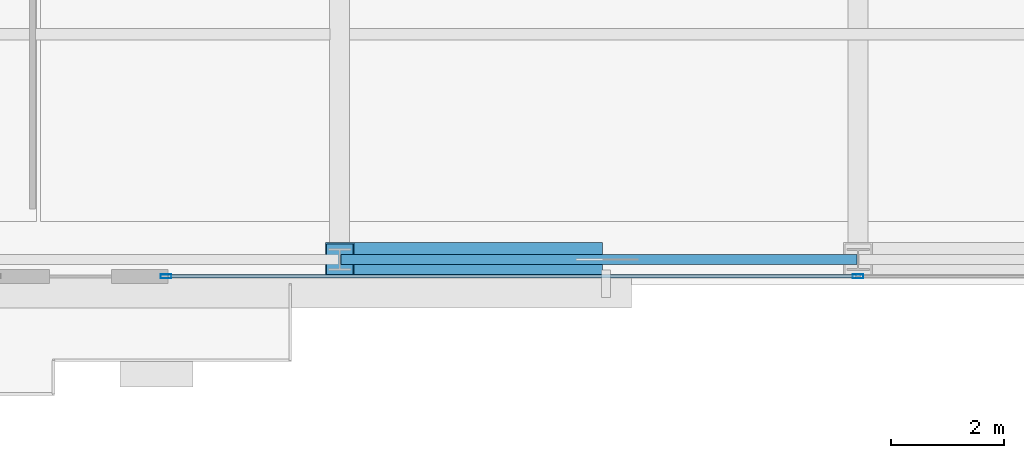
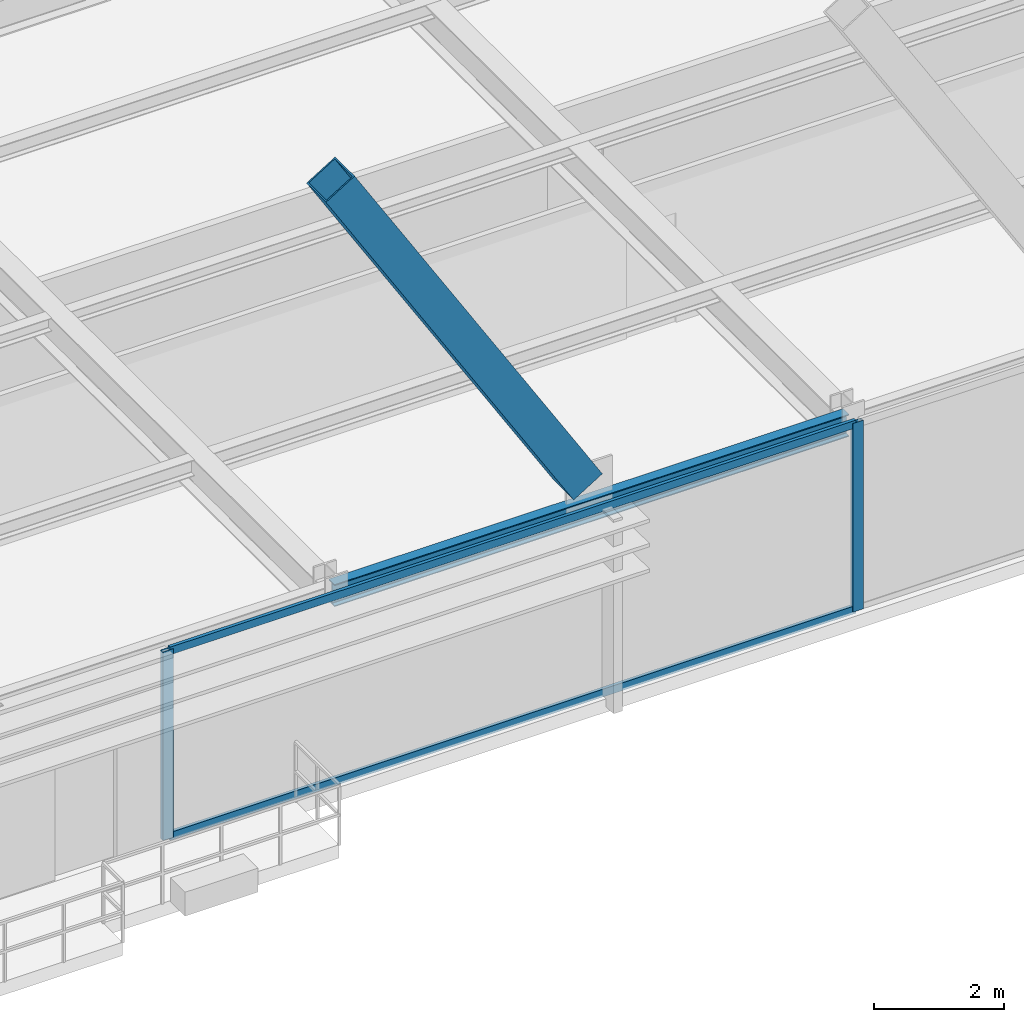
# One storey, part 6 of 37: 5 members, 1 beam, 1 element without a shape of its own.
"""IFC4 building model written with IfcOpenShell, lengths in metres."""

from ifc_helpers import new_model, si_unit, direction, frame, origin, origin_2d, place, context, subcontext, project, spatial, hollow_rectangle, i_section, extrude, source, transform, mapped, material, layer, layer_set, material_profile, profile_set, type_object, type_shapes, element, aggregate, save


model = new_model("IFC4")

# Units and contexts
model_context = context("Model", 3, precision=1e-05, world=origin(), true_north=direction((0.0, 1.0)))
body_context = subcontext(model_context, "Body", "Model", "MODEL_VIEW")
ifc_project = project(units=[si_unit("LENGTHUNIT", "METRE"), si_unit("AREAUNIT", "SQUARE_METRE"), si_unit("VOLUMEUNIT", "CUBIC_METRE"), si_unit("PLANEANGLEUNIT", "RADIAN"), si_unit("MASSUNIT", "GRAM", prefix="KILO")], contexts=[model_context])

# Site, building, storey
site_placement = place(None, origin())
site = spatial("IfcSite", under=ifc_project, at=site_placement, CompositionType="ELEMENT")
building_placement = place(site_placement, origin())
building = spatial("IfcBuilding", under=site, at=building_placement, Name="Varnel Quay Broadcast Tower", CompositionType="ELEMENT")
storey_placement = place(building_placement, frame((0.0, 0.0, 106.800048828125)))
storey = spatial("IfcBuildingStorey", under=building, at=storey_placement, Name="L25", CompositionType="ELEMENT", Elevation=106.800048828125)

# Beam
ifc_material_1 = material(Name="Structural Steel CSA G40.21 350W", Category="steel")
ifc_material_profile_1 = material_profile(ifc_material_1, i_section(OverallWidth=0.180908203125, OverallDepth=0.4169921875, WebThickness=0.010986328125, FlangeThickness=0.018310546875, FilletRadius=0.011962890625, at=origin_2d()), Name="W410X85")
ifc_profile_set_1 = profile_set([ifc_material_profile_1], Name="Structural Steel CSA G40.21 350W")
beam_type = type_object("IfcBeamType", Name="Beam_W410X85", PredefinedType="SPANDREL", material=ifc_profile_set_1)
shared_shape_1 = source(origin(), body_context, "Body", "SweptSolid", [
    extrude(i_section(OverallWidth=0.180908203125, OverallDepth=0.4169921875, WebThickness=0.010986328125, FlangeThickness=0.018310546875, FilletRadius=0.011962890625, at=origin_2d()), origin(), (0.0, 0.0, 1.0), 9.159912109375),
])
type_shapes(beam_type, [shared_shape_1])
beam_placement = place(storey_placement, frame((24.820068359375, 4.64990234375, 3.341552734375), z_axis=(1.0, 0.0, 0.0), x_axis=(0.0, 1.0, 0.0)))
element("IfcBeam", 1, at=beam_placement, inside=storey, type_object=beam_type, Name="L25 South Spandrel TC-S2-TC-S3", PredefinedType="SPANDREL", context=body_context, shape_type="MappedRepresentation", body=[
    mapped(shared_shape_1, transform((0.0, 0.0, 0.0), x_axis=(1.0, 0.0, 0.0), y_axis=(0.0, 1.0, 0.0), z_axis=(0.0, 0.0, 1.0), scale=1.0)),
])

# Member
ifc_material_2 = material(Name="Structural Steel CSA G40.21 350WT", Category="steel")
ifc_material_profile_2 = material_profile(ifc_material_2, hollow_rectangle(XDim=0.60009765625, YDim=0.60009765625, WallThickness=0.028076171875, at=origin_2d()), Name="BOX600X600X28")
ifc_profile_set_2 = profile_set([ifc_material_profile_2], Name="Structural Steel CSA G40.21 350WT")
member_type_1 = type_object("IfcMemberType", Name="Brace_BOX600X600X28", PredefinedType="BRACE", material=ifc_profile_set_2)
shared_shape_2 = source(origin(), body_context, "Body", "SweptSolid", [
    extrude(hollow_rectangle(XDim=0.60009765625, YDim=0.60009765625, WallThickness=0.028076171875, at=origin_2d()), origin(), (0.0, 0.0, 1.0), 8.399169921875),
])
type_shapes(member_type_1, [shared_shape_2])
member_1_placement = place(storey_placement, frame((29.210693359375, 4.64990234375, 3.98193359375), z_axis=(-0.525125243666, 0.0, 0.851024957604), x_axis=(0.0, -1.0, 0.0)))
element("IfcMember", 2, at=member_1_placement, inside=storey, type_object=member_type_1, Name="Zone 2 Mega-Brace S-C1T2 Split Diag B2", PredefinedType="BRACE", context=body_context, shape_type="MappedRepresentation", body=[
    mapped(shared_shape_2, transform((0.0, 0.0, 0.0), x_axis=(1.0, 0.0, 0.0), y_axis=(0.0, 1.0, 0.0), z_axis=(0.0, 0.0, 1.0), scale=1.0)),
])

# Curtain wall, members
ifc_material_3 = material(Name="Anodised Bronze Aluminium 6063-T6", Category="aluminium")
ifc_layer = layer(ifc_material_3, 0.18994140625, Name="Anodised Bronze Aluminium 6063-T6")
ifc_layer_set = layer_set([ifc_layer], Name="Anodised Bronze Aluminium 6063-T6")
curtain_wall_type = type_object("IfcCurtainWallType", Name="CW_LowerTower", PredefinedType="NOTDEFINED", material=ifc_layer_set)
curtain_wall_placement = place(storey_placement, origin())
curtain_wall = element("IfcCurtainWall", 3, at=curtain_wall_placement, inside=storey, type_object=curtain_wall_type, Name="L25 South Unitised Curtain Wall 2", PredefinedType="NOTDEFINED")
ifc_material_profile_3 = material_profile(ifc_material_3, hollow_rectangle(XDim=0.06005859375, YDim=0.14501953125, WallThickness=0.00341796875, at=origin_2d()), Name="ALU60X145X3.5")
ifc_profile_set_3 = profile_set([ifc_material_profile_3], Name="Anodised Bronze Aluminium 6063-T6")
member_type_2 = type_object("IfcMemberType", Name="Tran_CWS-02", PredefinedType="USERDEFINED", material=ifc_profile_set_3)
shared_shape_3 = source(origin(), body_context, "Body", "SweptSolid", [
    extrude(hollow_rectangle(XDim=0.06005859375, YDim=0.14501953125, WallThickness=0.00341796875, at=origin_2d()), origin(), (0.0, 0.0, 1.0), 12.215087890625),
])
type_shapes(member_type_2, [shared_shape_3])
member_2_placement = place(storey_placement, frame((21.75, 4.35009765625, 0.030029296875), z_axis=(1.0, 0.0, 0.0), x_axis=(0.0, 1.0, 0.0)))
member_2 = element("IfcMember", 4, at=member_2_placement, type_object=member_type_2, Name="CWS-02 transom 1.1", ObjectType="TRANSOM", PredefinedType="USERDEFINED", context=body_context, shape_type="MappedRepresentation", body=[
    mapped(shared_shape_3, transform((0.0, 0.0, 0.0), x_axis=(1.0, 0.0, 0.0), y_axis=(0.0, 1.0, 0.0), z_axis=(0.0, 0.0, 1.0), scale=1.0)),
])
member_3_placement = place(storey_placement, frame((21.75, 4.35009765625, 3.52001953125), z_axis=(1.0, 0.0, 0.0), x_axis=(0.0, 1.0, 0.0)))
member_3 = element("IfcMember", 5, at=member_3_placement, type_object=member_type_2, Name="CWS-02 transom 1.2", ObjectType="TRANSOM", PredefinedType="USERDEFINED", context=body_context, shape_type="MappedRepresentation", body=[
    mapped(shared_shape_3, transform((0.0, 0.0, 0.0), x_axis=(1.0, 0.0, 0.0), y_axis=(0.0, 1.0, 0.0), z_axis=(0.0, 0.0, 1.0), scale=1.0)),
])
ifc_material_profile_4 = material_profile(ifc_material_3, hollow_rectangle(XDim=0.070068359375, YDim=0.18994140625, WallThickness=0.00390625, at=origin_2d()), Name="ALU70X190X4")
ifc_profile_set_4 = profile_set([ifc_material_profile_4], Name="Anodised Bronze Aluminium 6063-T6")
member_type_3 = type_object("IfcMemberType", Name="Mull_CWS-02", PredefinedType="MULLION", material=ifc_profile_set_4)
shared_shape_4 = source(origin(), body_context, "Body", "SweptSolid", [
    extrude(hollow_rectangle(XDim=0.070068359375, YDim=0.18994140625, WallThickness=0.00390625, at=origin_2d()), origin(), (0.0, 0.0, 1.0), 3.550048828125),
])
type_shapes(member_type_3, [shared_shape_4])
member_4_placement = place(storey_placement, frame((21.715087890625, 4.35009765625, 0.0), z_axis=(0.0, 0.0, 1.0), x_axis=(0.0, 1.0, 0.0)))
member_4 = element("IfcMember", 6, at=member_4_placement, type_object=member_type_3, Name="CWS-02 mullion 1", PredefinedType="MULLION", context=body_context, shape_type="MappedRepresentation", body=[
    mapped(shared_shape_4, transform((0.0, 0.0, 0.0), x_axis=(1.0, 0.0, 0.0), y_axis=(0.0, 1.0, 0.0), z_axis=(0.0, 0.0, 1.0), scale=1.0)),
])
member_5_placement = place(storey_placement, frame((34.0, 4.35009765625, 0.0), z_axis=(0.0, 0.0, 1.0), x_axis=(0.0, 1.0, 0.0)))
member_5 = element("IfcMember", 7, at=member_5_placement, type_object=member_type_3, Name="CWS-02 mullion 2", PredefinedType="MULLION", context=body_context, shape_type="MappedRepresentation", body=[
    mapped(shared_shape_4, transform((0.0, 0.0, 0.0), x_axis=(1.0, 0.0, 0.0), y_axis=(0.0, 1.0, 0.0), z_axis=(0.0, 0.0, 1.0), scale=1.0)),
])
aggregate(curtain_wall, [member_4, member_5, member_2, member_3])

save(model, "model.ifc")
